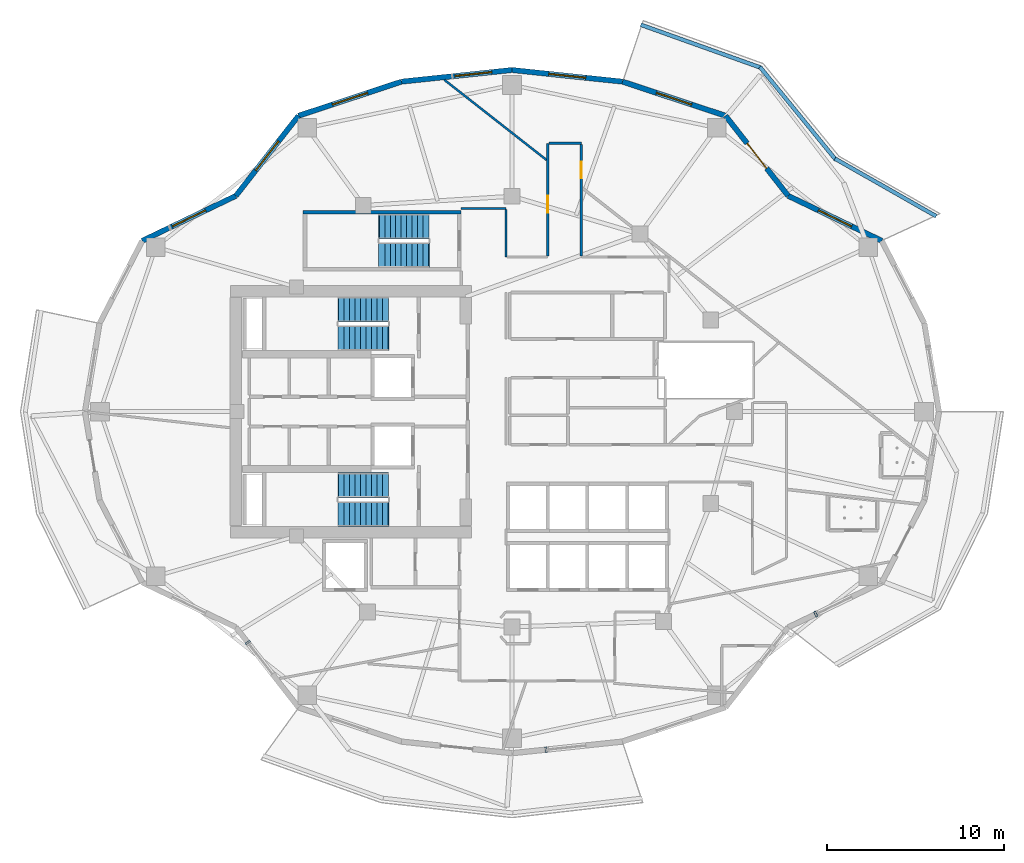
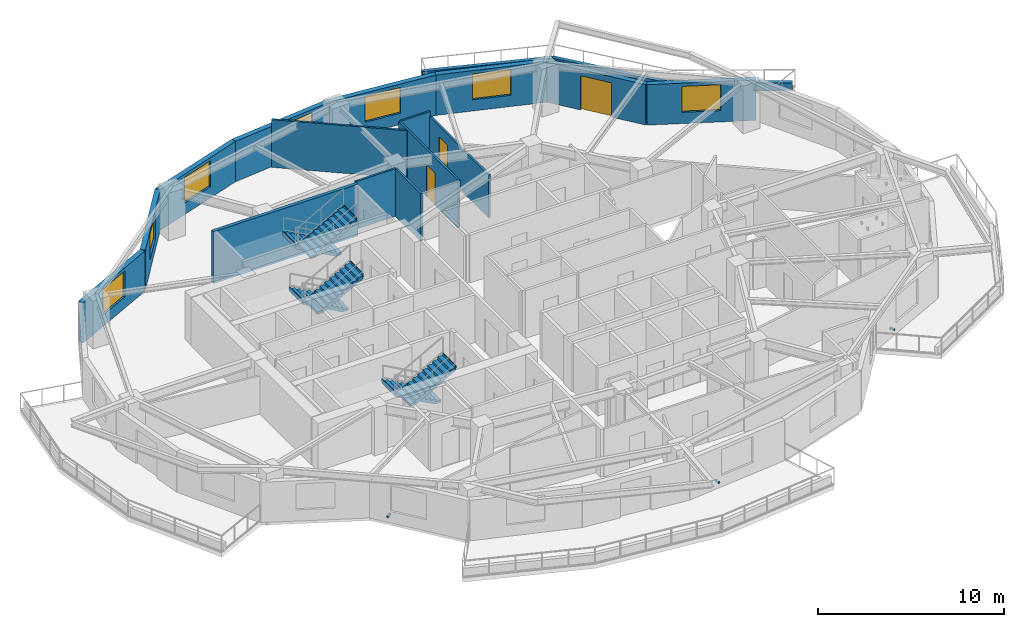
# One storey, part 7 of 14: 18 walls, 7 windows, 6 stair flights, 3 discrete accessories, 3 doors, 10 openings, 3 elements without a shape of their own.
"""IFC4 building model written with IfcOpenShell, lengths in metres."""

from ifc_helpers import new_model, si_unit, direction, frame, frame_2d, origin, origin_2d, place, context, subcontext, project, spatial, polyline, rectangle, outline, extrude, material, layer, layer_set, type_object, element, fill, aggregate, save


model = new_model("IFC4")

# Units and contexts
model_context = context("Model", 3, precision=1e-05, world=origin(), true_north=direction((0.0, 1.0)))
body_context = subcontext(model_context, "Body", "Model", "MODEL_VIEW")
ifc_project = project(units=[si_unit("LENGTHUNIT", "METRE"), si_unit("AREAUNIT", "SQUARE_METRE"), si_unit("VOLUMEUNIT", "CUBIC_METRE"), si_unit("PLANEANGLEUNIT", "RADIAN"), si_unit("MASSUNIT", "GRAM", prefix="KILO")], contexts=[model_context])

# Site, building, storey
site_placement = place(None, origin())
site = spatial("IfcSite", under=ifc_project, at=site_placement, CompositionType="ELEMENT")
building_placement = place(site_placement, origin())
building = spatial("IfcBuilding", under=site, at=building_placement, Name="Kolvaren Gate Tower and Convention Centre", CompositionType="ELEMENT")
storey_placement = place(building_placement, frame((0.0, 0.0, 112.10009765625)))
storey = spatial("IfcBuildingStorey", under=building, at=storey_placement, Name="L27", CompositionType="ELEMENT", Elevation=112.10009765625)

# Walls
ifc_material_1 = material(Name="Fire-Rated Acoustic Gypsum Stud Partition", Category="gypsum")
ifc_layer_1 = layer(ifc_material_1, 0.1201171875)
ifc_layer_set_1 = layer_set([ifc_layer_1], Name="Fire-Rated Acoustic Gypsum Stud Partition")
wall_type_1 = type_object("IfcWallType", Name="ARCH-WL-PART-120", PredefinedType="PARTITIONING", material=ifc_layer_set_1)
wall_1_placement = place(storey_placement, frame((27.25, 38.5, 0.0), z_axis=(0.0, 0.0, 1.0), x_axis=(1.0, 0.0, 0.0)))
element("IfcWall", 1, at=wall_1_placement, inside=storey, type_object=wall_type_1, Name="Interior Partition WL-L27-INT-034", PredefinedType="PARTITIONING", context=body_context, shape_type="SweptSolid", body=[
    extrude(rectangle(XDim=2.530029296875, YDim=0.1201171875, at=frame_2d((1.26513671875, 0.0))), origin(), (0.0, 0.0, 1.0), 3.1298828125),
])
wall_2_placement = place(storey_placement, frame((29.780029296875, 35.75, 0.0), z_axis=(0.0, 0.0, 1.0), x_axis=(0.0, 1.0, 0.0)))
element("IfcWall", 2, at=wall_2_placement, inside=storey, type_object=wall_type_1, Name="Interior Partition WL-L27-INT-038", PredefinedType="PARTITIONING", context=body_context, shape_type="SweptSolid", body=[
    extrude(rectangle(XDim=2.68798828125, YDim=0.1201171875, at=frame_2d((1.343994140625, 0.0))), origin(), (0.0, 0.0, 1.0), 3.1298828125),
])

# Wall, opening, door
wall_3_placement = place(storey_placement, frame((32.14990234375, 35.81201171875, 0.0), z_axis=(0.0, 0.0, 1.0), x_axis=(0.0, 1.0, 0.0)))
wall_3 = element("IfcWall", 3, at=wall_3_placement, inside=storey, type_object=wall_type_1, Name="Interior Partition WL-L27-INT-041", PredefinedType="PARTITIONING", context=body_context, shape_type="SweptSolid", body=[
    extrude(rectangle(XDim=6.387939453125, YDim=0.1201171875, at=frame_2d((3.19384765625, 0.0))), origin(), (0.0, 0.0, 1.0), 3.1298828125),
])
opening_1_placement = place(wall_3_placement, frame((2.45751953125, 0.0, 0.0)))
opening_1 = element("IfcOpeningElement", 4, at=opening_1_placement, cuts=wall_3, Name="Opening DR-01", PredefinedType="OPENING", context=body_context, shape_type="SweptSolid", body=[
    extrude(rectangle(XDim=0.949951171875, YDim=2.10009765625, at=frame_2d((0.47509765625, 1.050048828125))), frame((0.0, 0.070068359375, 0.0), z_axis=(0.0, -1.0, 0.0), x_axis=(1.0, 0.0, 0.0)), (0.0, 0.0, 1.0), 0.14013671875),
])
ifc_material_2 = material(Name="Painted Architectural Steelwork ASTM A500 Grade C 345 MPa", Category="steel")
door_type_1 = type_object("IfcDoorType", Name="ARCH-DR-RISER-950", OperationType="SINGLE_SWING_RIGHT", PredefinedType="DOOR", material=ifc_material_2)
door_1_placement = place(opening_1_placement, origin())
door_1 = element("IfcDoor", 5, at=door_1_placement, inside=storey, type_object=door_type_1, Name="Hotel Botanical Clubroom Door", OperationType="SINGLE_SWING_LEFT", OverallHeight=2.10009765625, OverallWidth=0.949951171875, PredefinedType="DOOR", context=body_context, shape_type="SweptSolid", body=[
    extrude(rectangle(XDim=0.949951171875, YDim=2.10009765625, at=frame_2d((0.47509765625, 1.050048828125))), frame((0.0, 0.02490234375, 0.0), z_axis=(0.0, -1.0, 0.0), x_axis=(1.0, 0.0, 0.0)), (0.0, 0.0, 1.0), 0.050048828125),
])
fill(opening_1, door_1)

# Wall
wall_4_placement = place(storey_placement, frame((32.2119140625, 42.199951171875, 0.0), z_axis=(0.0, 0.0, 1.0), x_axis=(1.0, 0.0, 0.0)))
element("IfcWall", 6, at=wall_4_placement, inside=storey, type_object=wall_type_1, Name="Interior Partition WL-L27-INT-042", PredefinedType="PARTITIONING", context=body_context, shape_type="SweptSolid", body=[
    extrude(rectangle(XDim=1.838134765625, YDim=0.1201171875, at=frame_2d((0.9189453125, 0.0))), origin(), (0.0, 0.0, 1.0), 3.1298828125),
])

# Wall, opening, door
wall_5_placement = place(storey_placement, frame((34.050048828125, 35.81201171875, 0.0), z_axis=(0.0, 0.0, 1.0), x_axis=(0.0, 1.0, 0.0)))
wall_5 = element("IfcWall", 7, at=wall_5_placement, inside=storey, type_object=wall_type_1, Name="Interior Partition WL-L27-INT-043", PredefinedType="PARTITIONING", context=body_context, shape_type="SweptSolid", body=[
    extrude(rectangle(XDim=6.325927734375, YDim=0.1201171875, at=frame_2d((3.1630859375, 0.0))), origin(), (0.0, 0.0, 1.0), 2.81201171875),
])
opening_2_placement = place(wall_5_placement, frame((4.400390625, 0.0, 0.0)))
opening_2 = element("IfcOpeningElement", 8, at=opening_2_placement, cuts=wall_5, Name="Opening DR-01", PredefinedType="OPENING", context=body_context, shape_type="SweptSolid", body=[
    extrude(rectangle(XDim=0.949951171875, YDim=2.10009765625, at=frame_2d((0.47509765625, 1.050048828125))), frame((0.0, 0.070068359375, 0.0), z_axis=(0.0, -1.0, 0.0), x_axis=(1.0, 0.0, 0.0)), (0.0, 0.0, 1.0), 0.14013671875),
])
door_2_placement = place(opening_2_placement, origin())
door_2 = element("IfcDoor", 9, at=door_2_placement, inside=storey, type_object=door_type_1, Name="Hotel Botanical Clubroom Door", OperationType="SINGLE_SWING_RIGHT", OverallHeight=2.10009765625, OverallWidth=0.949951171875, PredefinedType="DOOR", context=body_context, shape_type="SweptSolid", body=[
    extrude(rectangle(XDim=0.949951171875, YDim=2.10009765625, at=frame_2d((0.47509765625, 1.050048828125))), frame((0.0, 0.02490234375, 0.0), z_axis=(0.0, -1.0, 0.0), x_axis=(1.0, 0.0, 0.0)), (0.0, 0.0, 1.0), 0.050048828125),
])
fill(opening_2, door_2)

# Walls
wall_6_placement = place(storey_placement, frame((26.292236328125, 45.79345703125, 0.0), z_axis=(0.0, 0.0, 1.0), x_axis=(0.786866672651, -0.617123034307, 0.0)))
element("IfcWall", 10, at=wall_6_placement, inside=storey, type_object=wall_type_1, Name="Interior Partition WL-L27-INT-072", PredefinedType="PARTITIONING", context=body_context, shape_type="SweptSolid", body=[
    extrude(rectangle(XDim=7.365478515625, YDim=0.1201171875, at=frame_2d((3.6826171875, 0.0))), origin(), (0.0, 0.0, 1.0), 3.1298828125),
])
ifc_material_3 = material(Name="Piedmont Cream Honed Limestone Cladding", Category="masonry")
ifc_layer_2 = layer(ifc_material_3, 0.219970703125)
ifc_layer_set_2 = layer_set([ifc_layer_2], Name="Piedmont Cream Honed Limestone Cladding")
wall_type_2 = type_object("IfcWallType", Name="ARCH-WL-PLANTER-220", PredefinedType="PARAPET", material=ifc_layer_set_2)
wall_7_placement = place(storey_placement, frame((48.41259765625, 41.332275390625, 0.0), z_axis=(0.0, 0.0, 1.0), x_axis=(0.869187658335, -0.494482370361, 0.0)))
element("IfcWall", 11, at=wall_7_placement, inside=storey, type_object=wall_type_2, Name="Vertical-Forest Balcony Stone Planter Kerb PK-L27-1.1", PredefinedType="PARAPET", context=body_context, shape_type="SweptSolid", body=[
    extrude(rectangle(XDim=6.606201171875, YDim=0.219970703125, at=frame_2d((3.30322265625, 0.0))), origin(), (0.0, 0.0, 1.0), 0.52001953125),
])
wall_8_placement = place(storey_placement, frame((44.1669921875, 46.523193359375, 0.0), z_axis=(0.0, 0.0, 1.0), x_axis=(0.633002467947, -0.77414977593, 0.0)))
element("IfcWall", 12, at=wall_8_placement, inside=storey, type_object=wall_type_2, Name="Vertical-Forest Balcony Stone Planter Kerb PK-L27-1.2", PredefinedType="PARAPET", context=body_context, shape_type="SweptSolid", body=[
    extrude(rectangle(XDim=6.7802734375, YDim=0.219970703125, at=frame_2d((3.39013671875, 0.0))), origin(), (0.0, 0.0, 1.0), 0.52001953125),
])
wall_9_placement = place(storey_placement, frame((37.4189453125, 48.91259765625, 0.0), z_axis=(0.0, 0.0, 1.0), x_axis=(0.941632697311, -0.336642040387, 0.0)))
element("IfcWall", 13, at=wall_9_placement, inside=storey, type_object=wall_type_2, Name="Vertical-Forest Balcony Stone Planter Kerb PK-L27-1.3", PredefinedType="PARAPET", context=body_context, shape_type="SweptSolid", body=[
    extrude(rectangle(XDim=7.235595703125, YDim=0.219970703125, at=frame_2d((3.61767578125, 0.0))), origin(), (0.0, 0.0, 1.0), 0.52001953125),
])

# Wall, opening, window
ifc_layer_3 = layer(ifc_material_3, 0.300048828125)
ifc_layer_set_3 = layer_set([ifc_layer_3], Name="Piedmont Cream Honed Limestone Cladding")
wall_type_3 = type_object("IfcWallType", Name="ARCH-WL-STONE-300", PredefinedType="SOLIDWALL", material=ifc_layer_set_3)
wall_10_placement = place(storey_placement, frame((45.768798828125, 39.222900390625, 0.0), z_axis=(0.0, 0.0, 1.0), x_axis=(0.901370184739, -0.433049408339, 0.0)))
wall_10 = element("IfcWall", 14, at=wall_10_placement, inside=storey, type_object=wall_type_3, Name="Tower L27 Honed Stone Spandrel Wall EW-02", PredefinedType="SOLIDWALL", context=body_context, shape_type="SweptSolid", body=[
    extrude(rectangle(XDim=5.883544921875, YDim=0.300048828125, at=frame_2d((2.94189453125, 0.0))), origin(), (0.0, 0.0, 1.0), 2.65283203125),
])
opening_3_placement = place(wall_10_placement, frame((1.89208984375, 0.0, 0.739990234375)))
opening_3 = element("IfcOpeningElement", 15, at=opening_3_placement, cuts=wall_10, Name="Opening W-02", PredefinedType="OPENING", context=body_context, shape_type="SweptSolid", body=[
    extrude(rectangle(XDim=2.10009765625, YDim=1.699951171875, at=frame_2d((1.050048828125, 0.85009765625))), frame((0.0, 0.159912109375, 0.0), z_axis=(0.0, -1.0, 0.0), x_axis=(1.0, 0.0, 0.0)), (0.0, 0.0, 1.0), 0.320068359375),
])
ifc_material_4 = material(Name="Low-E Triple Insulated Glazing Unit 44 mm", Category="glass")
window_type = type_object("IfcWindowType", Name="ARCH-WN-HTL-2100", PartitioningType="SINGLE_PANEL", PredefinedType="WINDOW", material=ifc_material_4)
window_1_placement = place(opening_3_placement, origin())
window_1 = element("IfcWindow", 16, at=window_1_placement, inside=storey, type_object=window_type, Name="Tower L27 Punched Stone Facade Window W-02", OverallHeight=1.699951171875, OverallWidth=2.10009765625, PartitioningType="SINGLE_PANEL", PredefinedType="WINDOW", context=body_context, shape_type="SweptSolid", body=[
    extrude(rectangle(XDim=2.10009765625, YDim=1.699951171875, at=frame_2d((1.050048828125, 0.85009765625))), frame((0.0, 0.030029296875, 0.0), z_axis=(0.0, -1.0, 0.0), x_axis=(1.0, 0.0, 0.0)), (0.0, 0.0, 1.0), 0.06005859375),
])
fill(opening_3, window_1)

# Wall, opening, door
wall_11_placement = place(storey_placement, frame((42.21875, 43.757568359375, 0.0), z_axis=(0.0, 0.0, 1.0), x_axis=(0.616435134162, -0.787405693001, 0.0)))
wall_11 = element("IfcWall", 17, at=wall_11_placement, inside=storey, type_object=wall_type_3, Name="Tower L27 Honed Stone Spandrel Wall EW-03", PredefinedType="SOLIDWALL", context=body_context, shape_type="SweptSolid", body=[
    extrude(rectangle(XDim=5.759033203125, YDim=0.300048828125, at=frame_2d((2.87939453125, 0.0))), origin(), (0.0, 0.0, 1.0), 2.65283203125),
])
opening_4_placement = place(wall_11_placement, frame((1.97900390625, 0.0, 0.0)))
opening_4 = element("IfcOpeningElement", 18, at=opening_4_placement, cuts=wall_11, Name="Opening DB-01", PredefinedType="OPENING", context=body_context, shape_type="SweptSolid", body=[
    extrude(rectangle(XDim=1.800048828125, YDim=2.25, at=frame_2d((0.89990234375, 1.125))), frame((0.0, 0.159912109375, 0.0), z_axis=(0.0, -1.0, 0.0), x_axis=(1.0, 0.0, 0.0)), (0.0, 0.0, 1.0), 0.320068359375),
])
ifc_material_5 = material(Name="Anodized Architectural Aluminium Alloy 6063-T6", Category="aluminium")
door_type_2 = type_object("IfcDoorType", Name="ARCH-DR-BALC-1800", OperationType="SLIDING_TO_LEFT", PredefinedType="DOOR", material=ifc_material_5)
door_3_placement = place(opening_4_placement, origin())
door_3 = element("IfcDoor", 19, at=door_3_placement, inside=storey, type_object=door_type_2, Name="Planted Sky Terrace Access Door DB-L27-03", OperationType="SLIDING_TO_LEFT", OverallHeight=2.25, OverallWidth=1.800048828125, PredefinedType="DOOR", context=body_context, shape_type="SweptSolid", body=[
    extrude(rectangle(XDim=1.800048828125, YDim=2.25, at=frame_2d((0.89990234375, 1.125))), frame((0.0, 0.02490234375, 0.0), z_axis=(0.0, -1.0, 0.0), x_axis=(1.0, 0.0, 0.0)), (0.0, 0.0, 1.0), 0.050048828125),
])
fill(opening_4, door_3)

# Wall, opening, window
wall_12_placement = place(storey_placement, frame((36.38525390625, 45.690673828125, 0.0), z_axis=(0.0, 0.0, 1.0), x_axis=(0.949238009374, -0.314558741032, 0.0)))
wall_12 = element("IfcWall", 20, at=wall_12_placement, inside=storey, type_object=wall_type_3, Name="Tower L27 Honed Stone Spandrel Wall EW-04", PredefinedType="SOLIDWALL", context=body_context, shape_type="SweptSolid", body=[
    extrude(rectangle(XDim=6.1455078125, YDim=0.300048828125, at=frame_2d((3.07275390625, 0.0))), origin(), (0.0, 0.0, 1.0), 2.65283203125),
])
opening_5_placement = place(wall_12_placement, frame((2.02294921875, 0.0, 0.739990234375)))
opening_5 = element("IfcOpeningElement", 21, at=opening_5_placement, cuts=wall_12, Name="Opening W-02", PredefinedType="OPENING", context=body_context, shape_type="SweptSolid", body=[
    extrude(rectangle(XDim=2.10009765625, YDim=1.699951171875, at=frame_2d((1.050048828125, 0.85009765625))), frame((0.0, 0.159912109375, 0.0), z_axis=(0.0, -1.0, 0.0), x_axis=(1.0, 0.0, 0.0)), (0.0, 0.0, 1.0), 0.320068359375),
])
window_2_placement = place(opening_5_placement, origin())
window_2 = element("IfcWindow", 22, at=window_2_placement, inside=storey, type_object=window_type, Name="Tower L27 Punched Stone Facade Window W-04", OverallHeight=1.699951171875, OverallWidth=2.10009765625, PartitioningType="SINGLE_PANEL", PredefinedType="WINDOW", context=body_context, shape_type="SweptSolid", body=[
    extrude(rectangle(XDim=2.10009765625, YDim=1.699951171875, at=frame_2d((1.050048828125, 0.85009765625))), frame((0.0, 0.030029296875, 0.0), z_axis=(0.0, -1.0, 0.0), x_axis=(1.0, 0.0, 0.0)), (0.0, 0.0, 1.0), 0.06005859375),
])
fill(opening_5, window_2)

wall_13_placement = place(storey_placement, frame((30.125, 46.35009765625, 0.0), z_axis=(0.0, 0.0, 1.0), x_axis=(0.994498012394, -0.104755445421, 0.0)))
wall_13 = element("IfcWall", 23, at=wall_13_placement, inside=storey, type_object=wall_type_3, Name="Tower L27 Honed Stone Spandrel Wall EW-05", PredefinedType="SOLIDWALL", context=body_context, shape_type="SweptSolid", body=[
    extrude(rectangle(XDim=6.294921875, YDim=0.300048828125, at=frame_2d((3.1474609375, 0.0))), origin(), (0.0, 0.0, 1.0), 2.65283203125),
])
opening_6_placement = place(wall_13_placement, frame((2.096923828125, 0.0, 0.739990234375)))
opening_6 = element("IfcOpeningElement", 24, at=opening_6_placement, cuts=wall_13, Name="Opening W-02", PredefinedType="OPENING", context=body_context, shape_type="SweptSolid", body=[
    extrude(rectangle(XDim=2.10009765625, YDim=1.699951171875, at=frame_2d((1.050048828125, 0.85009765625))), frame((0.0, 0.159912109375, 0.0), z_axis=(0.0, -1.0, 0.0), x_axis=(1.0, 0.0, 0.0)), (0.0, 0.0, 1.0), 0.320068359375),
])
window_3_placement = place(opening_6_placement, origin())
window_3 = element("IfcWindow", 25, at=window_3_placement, inside=storey, type_object=window_type, Name="Tower L27 Punched Stone Facade Window W-05", OverallHeight=1.699951171875, OverallWidth=2.10009765625, PartitioningType="SINGLE_PANEL", PredefinedType="WINDOW", context=body_context, shape_type="SweptSolid", body=[
    extrude(rectangle(XDim=2.10009765625, YDim=1.699951171875, at=frame_2d((1.050048828125, 0.85009765625))), frame((0.0, 0.030029296875, 0.0), z_axis=(0.0, -1.0, 0.0), x_axis=(1.0, 0.0, 0.0)), (0.0, 0.0, 1.0), 0.06005859375),
])
fill(opening_6, window_3)

wall_14_placement = place(storey_placement, frame((23.86474609375, 45.690673828125, 0.0), z_axis=(0.0, 0.0, 1.0), x_axis=(0.994498012394, 0.104755445421, 0.0)))
wall_14 = element("IfcWall", 26, at=wall_14_placement, inside=storey, type_object=wall_type_3, Name="Tower L27 Honed Stone Spandrel Wall EW-06", PredefinedType="SOLIDWALL", context=body_context, shape_type="SweptSolid", body=[
    extrude(rectangle(XDim=6.294921875, YDim=0.300048828125, at=frame_2d((3.1474609375, 0.0))), origin(), (0.0, 0.0, 1.0), 2.65283203125),
])
opening_7_placement = place(wall_14_placement, frame((3.050048828125, 0.0, 0.739990234375)))
opening_7 = element("IfcOpeningElement", 27, at=opening_7_placement, cuts=wall_14, Name="Opening W-02", PredefinedType="OPENING", context=body_context, shape_type="SweptSolid", body=[
    extrude(rectangle(XDim=2.10009765625, YDim=1.699951171875, at=frame_2d((1.050048828125, 0.85009765625))), frame((0.0, 0.159912109375, 0.0), z_axis=(0.0, -1.0, 0.0), x_axis=(1.0, 0.0, 0.0)), (0.0, 0.0, 1.0), 0.320068359375),
])
window_4_placement = place(opening_7_placement, origin())
window_4 = element("IfcWindow", 28, at=window_4_placement, inside=storey, type_object=window_type, Name="Tower L27 Punched Stone Facade Window W-06", OverallHeight=1.699951171875, OverallWidth=2.10009765625, PartitioningType="SINGLE_PANEL", PredefinedType="WINDOW", context=body_context, shape_type="SweptSolid", body=[
    extrude(rectangle(XDim=2.10009765625, YDim=1.699951171875, at=frame_2d((1.050048828125, 0.85009765625))), frame((0.0, 0.030029296875, 0.0), z_axis=(0.0, -1.0, 0.0), x_axis=(1.0, 0.0, 0.0)), (0.0, 0.0, 1.0), 0.06005859375),
])
fill(opening_7, window_4)

wall_15_placement = place(storey_placement, frame((18.03125, 43.757568359375, 0.0), z_axis=(0.0, 0.0, 1.0), x_axis=(0.949238009374, 0.314558741032, 0.0)))
wall_15 = element("IfcWall", 29, at=wall_15_placement, inside=storey, type_object=wall_type_3, Name="Tower L27 Honed Stone Spandrel Wall EW-07", PredefinedType="SOLIDWALL", context=body_context, shape_type="SweptSolid", body=[
    extrude(rectangle(XDim=6.1455078125, YDim=0.300048828125, at=frame_2d((3.07275390625, 0.0))), origin(), (0.0, 0.0, 1.0), 2.65283203125),
])
opening_8_placement = place(wall_15_placement, frame((2.02294921875, 0.0, 0.739990234375)))
opening_8 = element("IfcOpeningElement", 30, at=opening_8_placement, cuts=wall_15, Name="Opening W-02", PredefinedType="OPENING", context=body_context, shape_type="SweptSolid", body=[
    extrude(rectangle(XDim=2.10009765625, YDim=1.699951171875, at=frame_2d((1.050048828125, 0.85009765625))), frame((0.0, 0.159912109375, 0.0), z_axis=(0.0, -1.0, 0.0), x_axis=(1.0, 0.0, 0.0)), (0.0, 0.0, 1.0), 0.320068359375),
])
window_5_placement = place(opening_8_placement, origin())
window_5 = element("IfcWindow", 31, at=window_5_placement, inside=storey, type_object=window_type, Name="Tower L27 Punched Stone Facade Window W-07", OverallHeight=1.699951171875, OverallWidth=2.10009765625, PartitioningType="SINGLE_PANEL", PredefinedType="WINDOW", context=body_context, shape_type="SweptSolid", body=[
    extrude(rectangle(XDim=2.10009765625, YDim=1.699951171875, at=frame_2d((1.050048828125, 0.85009765625))), frame((0.0, 0.030029296875, 0.0), z_axis=(0.0, -1.0, 0.0), x_axis=(1.0, 0.0, 0.0)), (0.0, 0.0, 1.0), 0.06005859375),
])
fill(opening_8, window_5)

wall_16_placement = place(storey_placement, frame((14.481201171875, 39.222900390625, 0.0), z_axis=(0.0, 0.0, 1.0), x_axis=(0.616435134162, 0.787405693001, 0.0)))
wall_16 = element("IfcWall", 32, at=wall_16_placement, inside=storey, type_object=wall_type_3, Name="Tower L27 Honed Stone Spandrel Wall EW-08", PredefinedType="SOLIDWALL", context=body_context, shape_type="SweptSolid", body=[
    extrude(rectangle(XDim=5.759033203125, YDim=0.300048828125, at=frame_2d((2.87939453125, 0.0))), origin(), (0.0, 0.0, 1.0), 2.65283203125),
])
opening_9_placement = place(wall_16_placement, frame((1.8291015625, 0.0, 0.739990234375)))
opening_9 = element("IfcOpeningElement", 33, at=opening_9_placement, cuts=wall_16, Name="Opening W-02", PredefinedType="OPENING", context=body_context, shape_type="SweptSolid", body=[
    extrude(rectangle(XDim=2.10009765625, YDim=1.699951171875, at=frame_2d((1.050048828125, 0.85009765625))), frame((0.0, 0.159912109375, 0.0), z_axis=(0.0, -1.0, 0.0), x_axis=(1.0, 0.0, 0.0)), (0.0, 0.0, 1.0), 0.320068359375),
])
window_6_placement = place(opening_9_placement, origin())
window_6 = element("IfcWindow", 34, at=window_6_placement, inside=storey, type_object=window_type, Name="Tower L27 Punched Stone Facade Window W-08", OverallHeight=1.699951171875, OverallWidth=2.10009765625, PartitioningType="SINGLE_PANEL", PredefinedType="WINDOW", context=body_context, shape_type="SweptSolid", body=[
    extrude(rectangle(XDim=2.10009765625, YDim=1.699951171875, at=frame_2d((1.050048828125, 0.85009765625))), frame((0.0, 0.030029296875, 0.0), z_axis=(0.0, -1.0, 0.0), x_axis=(1.0, 0.0, 0.0)), (0.0, 0.0, 1.0), 0.06005859375),
])
fill(opening_9, window_6)

wall_17_placement = place(storey_placement, frame((9.177978515625, 36.675048828125, 0.0), z_axis=(0.0, 0.0, 1.0), x_axis=(0.901370184739, 0.433049408339, 0.0)))
wall_17 = element("IfcWall", 35, at=wall_17_placement, inside=storey, type_object=wall_type_3, Name="Tower L27 Honed Stone Spandrel Wall EW-09", PredefinedType="SOLIDWALL", context=body_context, shape_type="SweptSolid", body=[
    extrude(rectangle(XDim=5.883544921875, YDim=0.300048828125, at=frame_2d((2.94189453125, 0.0))), origin(), (0.0, 0.0, 1.0), 2.65283203125),
])
opening_10_placement = place(wall_17_placement, frame((1.89208984375, 0.0, 0.739990234375)))
opening_10 = element("IfcOpeningElement", 36, at=opening_10_placement, cuts=wall_17, Name="Opening W-02", PredefinedType="OPENING", context=body_context, shape_type="SweptSolid", body=[
    extrude(rectangle(XDim=2.10009765625, YDim=1.699951171875, at=frame_2d((1.050048828125, 0.85009765625))), frame((0.0, 0.159912109375, 0.0), z_axis=(0.0, -1.0, 0.0), x_axis=(1.0, 0.0, 0.0)), (0.0, 0.0, 1.0), 0.320068359375),
])
window_7_placement = place(opening_10_placement, origin())
window_7 = element("IfcWindow", 37, at=window_7_placement, inside=storey, type_object=window_type, Name="Tower L27 Punched Stone Facade Window W-09", OverallHeight=1.699951171875, OverallWidth=2.10009765625, PartitioningType="SINGLE_PANEL", PredefinedType="WINDOW", context=body_context, shape_type="SweptSolid", body=[
    extrude(rectangle(XDim=2.10009765625, YDim=1.699951171875, at=frame_2d((1.050048828125, 0.85009765625))), frame((0.0, 0.030029296875, 0.0), z_axis=(0.0, -1.0, 0.0), x_axis=(1.0, 0.0, 0.0)), (0.0, 0.0, 1.0), 0.06005859375),
])
fill(opening_10, window_7)

# Wall
ifc_material_6 = material(Name="Concrete C50/60", Category="concrete")
ifc_layer_4 = layer(ifc_material_6, 0.199951171875)
ifc_layer_set_4 = layer_set([ifc_layer_4], Name="Concrete C50/60")
wall_type_4 = type_object("IfcWallType", Name="STR-WL-SHAFT-200", PredefinedType="SHEAR", material=ifc_layer_set_4)
wall_18_placement = place(storey_placement, frame((18.300048828125, 38.300048828125, -0.27001953125), z_axis=(0.0, 0.0, 1.0), x_axis=(1.0, 0.0, 0.0)))
element("IfcWall", 38, at=wall_18_placement, inside=storey, type_object=wall_type_4, Name="Tower Mid-Zone Exit Stair ST-T3 L27 Structural Shear Enclosure Wall LEFT", PredefinedType="SHEAR", context=body_context, shape_type="SweptSolid", body=[
    extrude(rectangle(XDim=8.949951171875, YDim=0.199951171875, at=frame_2d((4.47509765625, 0.0))), origin(), (0.0, 0.0, 1.0), 3.39990234375),
])

# Stair, stair flights
stair_type = type_object("IfcStairType", Name="STR-STAIR-CORE", PredefinedType="HALF_TURN_STAIR", material=ifc_material_6)
stair_1_placement = place(storey_placement, origin())
stair_1 = element("IfcStair", 39, at=stair_1_placement, inside=storey, type_object=stair_type, Name="L27 Tower North Exit Stair ST-T1", PredefinedType="HALF_TURN_STAIR")
stair_flight_type = type_object("IfcStairFlightType", Name="STR-SFL-1420", PredefinedType="STRAIGHT", material=ifc_material_6)
stair_flight_1_placement = place(storey_placement, frame((23.10009765625, 32.7900390625, 0.0), z_axis=(0.0, 0.0, 1.0), x_axis=(-1.0, 0.0, 0.0)))
stair_flight_1 = element("IfcStairFlight", 40, at=stair_flight_1_placement, type_object=stair_flight_type, Name="ST-T1 flight 1", NumberOfRisers=10, NumberOfTreads=9, PredefinedType="STRAIGHT", RiserHeight=0.17, TreadLength=0.31, context=body_context, shape_type="SweptSolid", body=[
    extrude(outline(polyline([(-0.034912109375, 0.0), (-0.034912109375, 0.169921875), (0.31005859375, 0.169921875), (0.31005859375, 0.340087890625), (0.6201171875, 0.340087890625), (0.6201171875, 0.510009765625), (0.929931640625, 0.510009765625), (0.929931640625, 0.679931640625), (1.239990234375, 0.679931640625), (1.239990234375, 0.85009765625), (1.550048828125, 0.85009765625), (1.550048828125, 1.02001953125), (1.860107421875, 1.02001953125), (1.860107421875, 1.18994140625), (2.169921875, 1.18994140625), (2.169921875, 1.360107421875), (2.47998046875, 1.360107421875), (2.47998046875, 1.530029296875), (2.7900390625, 1.530029296875), (2.7900390625, 1.699951171875), (2.8349609375, 1.699951171875), (2.8349609375, 1.5400390625), (2.7900390625, 1.359130859375), (0.311767578125, 0.0), (-0.034912109375, 0.0)])), frame((0.0, 0.7099609375, 0.0), z_axis=(0.0, -1.0, 0.0), x_axis=(1.0, 0.0, 0.0)), (0.0, 0.0, 1.0), 1.419921875),
])
stair_flight_2_placement = place(storey_placement, frame((20.31005859375, 31.169921875, 1.699951171875), z_axis=(0.0, 0.0, 1.0), x_axis=(1.0, 0.0, 0.0)))
stair_flight_2 = element("IfcStairFlight", 41, at=stair_flight_2_placement, type_object=stair_flight_type, Name="ST-T1 flight 2", NumberOfRisers=10, NumberOfTreads=9, PredefinedType="STRAIGHT", RiserHeight=0.17, TreadLength=0.31, context=body_context, shape_type="SweptSolid", body=[
    extrude(outline(polyline([(-0.034912109375, 0.0), (-0.034912109375, 0.169921875), (0.31005859375, 0.169921875), (0.31005859375, 0.340087890625), (0.6201171875, 0.340087890625), (0.6201171875, 0.510009765625), (0.929931640625, 0.510009765625), (0.929931640625, 0.679931640625), (1.239990234375, 0.679931640625), (1.239990234375, 0.85009765625), (1.550048828125, 0.85009765625), (1.550048828125, 1.02001953125), (1.860107421875, 1.02001953125), (1.860107421875, 1.18994140625), (2.169921875, 1.18994140625), (2.169921875, 1.360107421875), (2.47998046875, 1.360107421875), (2.47998046875, 1.530029296875), (2.7900390625, 1.530029296875), (2.7900390625, 1.699951171875), (2.8349609375, 1.699951171875), (2.8349609375, 1.5400390625), (2.7900390625, 1.359130859375), (0.311767578125, 0.0), (-0.034912109375, 0.0)])), frame((0.0, 0.7099609375, 0.0), z_axis=(0.0, -1.0, 0.0), x_axis=(1.0, 0.0, 0.0)), (0.0, 0.0, 1.0), 1.419921875),
])
aggregate(stair_1, [stair_flight_1, stair_flight_2])

stair_2_placement = place(storey_placement, origin())
stair_2 = element("IfcStair", 42, at=stair_2_placement, inside=storey, type_object=stair_type, Name="L27 Tower South Exit Stair ST-T2", PredefinedType="HALF_TURN_STAIR")
stair_flight_3_placement = place(storey_placement, frame((23.10009765625, 22.830078125, 0.0), z_axis=(0.0, 0.0, 1.0), x_axis=(-1.0, 0.0, 0.0)))
stair_flight_3 = element("IfcStairFlight", 43, at=stair_flight_3_placement, type_object=stair_flight_type, Name="ST-T2 flight 1", NumberOfRisers=10, NumberOfTreads=9, PredefinedType="STRAIGHT", RiserHeight=0.17, TreadLength=0.31, context=body_context, shape_type="SweptSolid", body=[
    extrude(outline(polyline([(-0.034912109375, 0.0), (-0.034912109375, 0.169921875), (0.31005859375, 0.169921875), (0.31005859375, 0.340087890625), (0.6201171875, 0.340087890625), (0.6201171875, 0.510009765625), (0.929931640625, 0.510009765625), (0.929931640625, 0.679931640625), (1.239990234375, 0.679931640625), (1.239990234375, 0.85009765625), (1.550048828125, 0.85009765625), (1.550048828125, 1.02001953125), (1.860107421875, 1.02001953125), (1.860107421875, 1.18994140625), (2.169921875, 1.18994140625), (2.169921875, 1.360107421875), (2.47998046875, 1.360107421875), (2.47998046875, 1.530029296875), (2.7900390625, 1.530029296875), (2.7900390625, 1.699951171875), (2.8349609375, 1.699951171875), (2.8349609375, 1.5400390625), (2.7900390625, 1.359130859375), (0.311767578125, 0.0), (-0.034912109375, 0.0)])), frame((0.0, 0.7099609375, 0.0), z_axis=(0.0, -1.0, 0.0), x_axis=(1.0, 0.0, 0.0)), (0.0, 0.0, 1.0), 1.419921875),
])
stair_flight_4_placement = place(storey_placement, frame((20.31005859375, 21.2099609375, 1.699951171875), z_axis=(0.0, 0.0, 1.0), x_axis=(1.0, 0.0, 0.0)))
stair_flight_4 = element("IfcStairFlight", 44, at=stair_flight_4_placement, type_object=stair_flight_type, Name="ST-T2 flight 2", NumberOfRisers=10, NumberOfTreads=9, PredefinedType="STRAIGHT", RiserHeight=0.17, TreadLength=0.31, context=body_context, shape_type="SweptSolid", body=[
    extrude(outline(polyline([(-0.034912109375, 0.0), (-0.034912109375, 0.169921875), (0.31005859375, 0.169921875), (0.31005859375, 0.340087890625), (0.6201171875, 0.340087890625), (0.6201171875, 0.510009765625), (0.929931640625, 0.510009765625), (0.929931640625, 0.679931640625), (1.239990234375, 0.679931640625), (1.239990234375, 0.85009765625), (1.550048828125, 0.85009765625), (1.550048828125, 1.02001953125), (1.860107421875, 1.02001953125), (1.860107421875, 1.18994140625), (2.169921875, 1.18994140625), (2.169921875, 1.360107421875), (2.47998046875, 1.360107421875), (2.47998046875, 1.530029296875), (2.7900390625, 1.530029296875), (2.7900390625, 1.699951171875), (2.8349609375, 1.699951171875), (2.8349609375, 1.5400390625), (2.7900390625, 1.359130859375), (0.311767578125, 0.0), (-0.034912109375, 0.0)])), frame((0.0, 0.7099609375, 0.0), z_axis=(0.0, -1.0, 0.0), x_axis=(1.0, 0.0, 0.0)), (0.0, 0.0, 1.0), 1.419921875),
])
aggregate(stair_2, [stair_flight_3, stair_flight_4])

stair_3_placement = place(storey_placement, origin())
stair_3 = element("IfcStair", 45, at=stair_3_placement, inside=storey, type_object=stair_type, Name="L27 Tower Mid-Zone Exit Stair ST-T3", PredefinedType="HALF_TURN_STAIR")
stair_flight_5_placement = place(storey_placement, frame((25.39990234375, 37.489990234375, 0.0), z_axis=(0.0, 0.0, 1.0), x_axis=(-1.0, 0.0, 0.0)))
stair_flight_5 = element("IfcStairFlight", 46, at=stair_flight_5_placement, type_object=stair_flight_type, Name="ST-T3 flight 1", NumberOfRisers=10, NumberOfTreads=9, PredefinedType="STRAIGHT", RiserHeight=0.17, TreadLength=0.31, context=body_context, shape_type="SweptSolid", body=[
    extrude(outline(polyline([(-0.034912109375, 0.0), (-0.034912109375, 0.169921875), (0.31005859375, 0.169921875), (0.31005859375, 0.340087890625), (0.6201171875, 0.340087890625), (0.6201171875, 0.510009765625), (0.929931640625, 0.510009765625), (0.929931640625, 0.679931640625), (1.239990234375, 0.679931640625), (1.239990234375, 0.85009765625), (1.550048828125, 0.85009765625), (1.550048828125, 1.02001953125), (1.860107421875, 1.02001953125), (1.860107421875, 1.18994140625), (2.169921875, 1.18994140625), (2.169921875, 1.360107421875), (2.47998046875, 1.360107421875), (2.47998046875, 1.530029296875), (2.7900390625, 1.530029296875), (2.7900390625, 1.699951171875), (2.8349609375, 1.699951171875), (2.8349609375, 1.5400390625), (2.7900390625, 1.359130859375), (0.311767578125, 0.0), (-0.034912109375, 0.0)])), frame((0.0, 0.7099609375, 0.0), z_axis=(0.0, -1.0, 0.0), x_axis=(1.0, 0.0, 0.0)), (0.0, 0.0, 1.0), 1.419921875),
])
stair_flight_6_placement = place(storey_placement, frame((22.610107421875, 35.8701171875, 1.699951171875), z_axis=(0.0, 0.0, 1.0), x_axis=(1.0, 0.0, 0.0)))
stair_flight_6 = element("IfcStairFlight", 47, at=stair_flight_6_placement, type_object=stair_flight_type, Name="ST-T3 flight 2", NumberOfRisers=10, NumberOfTreads=9, PredefinedType="STRAIGHT", RiserHeight=0.17, TreadLength=0.31, context=body_context, shape_type="SweptSolid", body=[
    extrude(outline(polyline([(-0.034912109375, 0.0), (-0.034912109375, 0.169921875), (0.31005859375, 0.169921875), (0.31005859375, 0.340087890625), (0.6201171875, 0.340087890625), (0.6201171875, 0.510009765625), (0.929931640625, 0.510009765625), (0.929931640625, 0.679931640625), (1.239990234375, 0.679931640625), (1.239990234375, 0.85009765625), (1.550048828125, 0.85009765625), (1.550048828125, 1.02001953125), (1.860107421875, 1.02001953125), (1.860107421875, 1.18994140625), (2.169921875, 1.18994140625), (2.169921875, 1.360107421875), (2.47998046875, 1.360107421875), (2.47998046875, 1.530029296875), (2.7900390625, 1.530029296875), (2.7900390625, 1.699951171875), (2.8349609375, 1.699951171875), (2.8349609375, 1.5400390625), (2.7900390625, 1.359130859375), (0.311767578125, 0.0), (-0.034912109375, 0.0)])), frame((0.0, 0.7099609375, 0.0), z_axis=(0.0, -1.0, 0.0), x_axis=(1.0, 0.0, 0.0)), (0.0, 0.0, 1.0), 1.419921875),
])
aggregate(stair_3, [stair_flight_5, stair_flight_6])

# Discrete accessories
discrete_accessory_type = type_object("IfcDiscreteAccessoryType", Name="ARCH-ACC-BRACKET-120", PredefinedType="BRACKET", material=ifc_material_5)
for number, where, z_axis, x_axis, name in (
    (48, (15.1533203125, 13.918701171875, 0.289794921875), (0.0, 0.0, 1.0), (0.616424499081, -0.787414018756, 0.0), "Ceramic Fin Wall Anchor Bracket FBK-L27-15"),
    (49, (32.05126953125, 7.852783203125, 0.289794921875), (0.0, 0.0, 1.0), (0.994499981166, 0.104736753152, 0.0), "Ceramic Fin Wall Anchor Bracket FBK-L27-18"),
    (50, (47.329833984375, 15.527099609375, 0.289794921875), (0.0, 0.0, 1.0), (0.901362925045, 0.433064518696, 0.0), "Ceramic Fin Wall Anchor Bracket FBK-L27-21"),
):
    element("IfcDiscreteAccessory", number, at=place(storey_placement, frame(where, z_axis=z_axis, x_axis=x_axis)), inside=storey, type_object=discrete_accessory_type, Name=name, PredefinedType="BRACKET", context=body_context, shape_type="SweptSolid", body=[
        extrude(rectangle(XDim=0.1201171875, YDim=0.320068359375, at=origin_2d()), origin(), (0.0, 0.0, 1.0), 0.1201171875),
    ])

save(model, "model.ifc")
